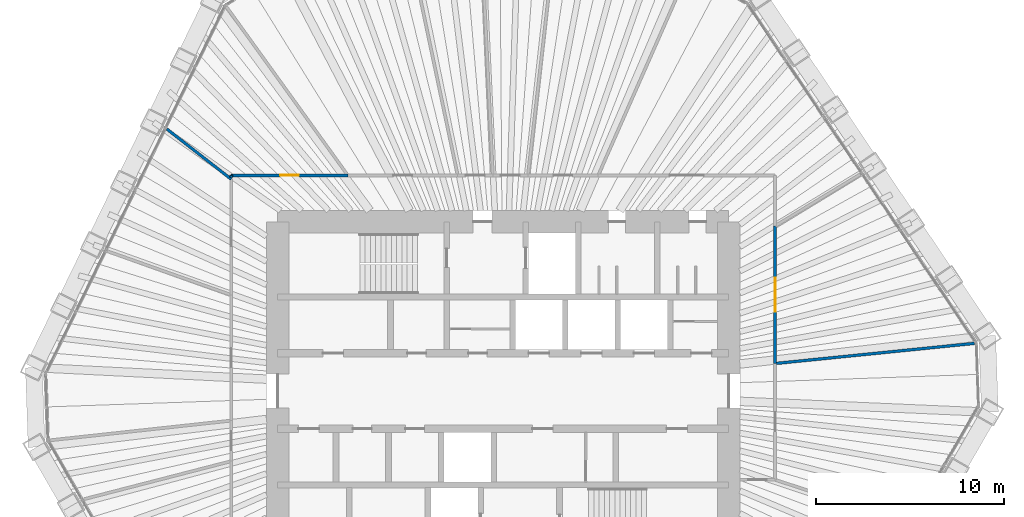
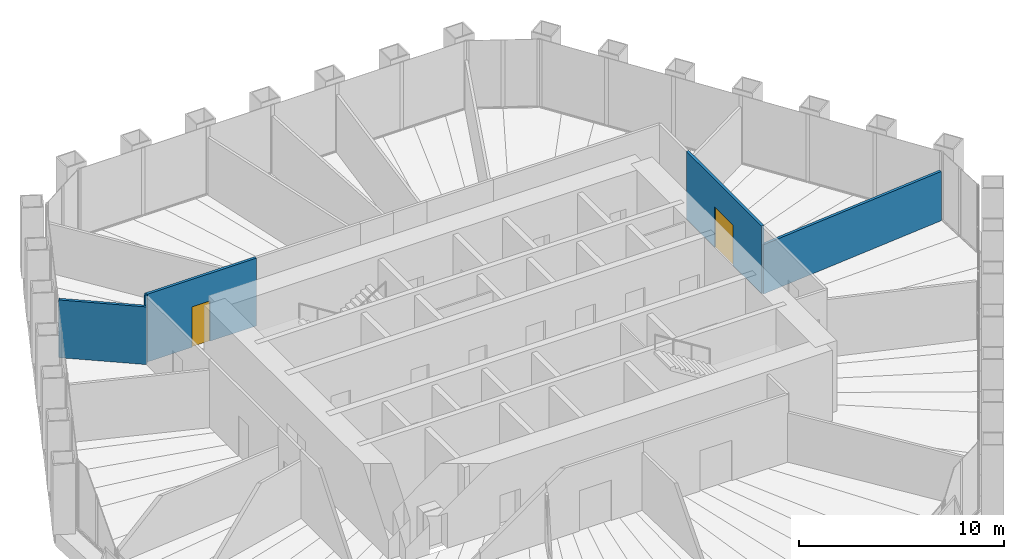
# One storey, part 12 of 14: 5 walls, 2 doors, 2 openings.
"""IFC4 building model written with IfcOpenShell, lengths in metres."""

import ifcopenshell
import ifcopenshell.guid

model = None  # the IFC model being written
_history = None  # IfcOwnerHistory: only IFC2X3 demands one
_inside = {}  # id of a spatial element -> (the spatial element, [elements in it])
_under = {}  # id of a project, library or spatial element -> (it, [spatial elements below it])
_declared = {}  # id of a project -> (the project, [libraries it declares])
_typed = {}  # id of a type object -> (the type object, [elements of that type])
_made_of = {}  # id of a material, layer set ... -> (it, [elements and type objects made of it])


def new_model(schema):
    """Start an empty IFC model of exactly this schema.

    Asked for "IFC4X3", IfcOpenShell would pick the latest addendum, in which some entities
    have other attributes; the version numbers below select the first issue.
    IFC2X3 requires an IfcOwnerHistory on every rooted entity: one is made here for all.
    """
    global model, _history
    if schema == "IFC4X3":
        model = ifcopenshell.file(schema_version=(4, 3, 0, 0))
    else:
        model = ifcopenshell.file(schema=schema)
    _inside.clear()
    _under.clear()
    _declared.clear()
    _typed.clear()
    _made_of.clear()
    _history = None
    if model.schema == "IFC2X3":
        org = make("IfcOrganization", Name="unknown")
        user = make(
            "IfcPersonAndOrganization",
            ThePerson=make("IfcPerson", FamilyName="unknown"),
            TheOrganization=org,
        )
        app = make(
            "IfcApplication",
            ApplicationDeveloper=org,
            Version="unknown",
            ApplicationFullName="unknown",
            ApplicationIdentifier="unknown",
        )
        _history = make(
            "IfcOwnerHistory",
            OwningUser=user,
            OwningApplication=app,
            ChangeAction="ADDED",
            CreationDate=0,
        )
    return model


def make(cls, **values):
    """One entity of the class cls with the attributes given. An attribute that is None is left unset."""
    return model.create_entity(
        cls, **{name: value for name, value in values.items() if value is not None}
    )


def rooted(cls, **values):
    """An entity with a GlobalId (a new one), such as an element, a storey or a relation."""
    return make(cls, GlobalId=ifcopenshell.guid.new(), OwnerHistory=_history, **values)


def si_unit(unit_type, name, prefix=None):
    """IfcSIUnit, for example si_unit("LENGTHUNIT", "METRE", prefix="MILLI")."""
    return make("IfcSIUnit", UnitType=unit_type, Prefix=prefix, Name=name)


def assignment(units):
    """IfcUnitAssignment: the units of a project."""
    return None if units is None else make("IfcUnitAssignment", Units=units)


def point(xyz):
    """IfcCartesianPoint."""
    return None if xyz is None else make("IfcCartesianPoint", Coordinates=xyz)


def direction(xyz):
    """IfcDirection."""
    return None if xyz is None else make("IfcDirection", DirectionRatios=xyz)


def frame(location, z_axis=None, x_axis=None):
    """IfcAxis2Placement3D, a coordinate frame: its origin and axes. An axis left out is left unset."""
    return make(
        "IfcAxis2Placement3D",
        Location=point(location),
        Axis=direction(z_axis),
        RefDirection=direction(x_axis),
    )


def frame_2d(location, x_axis=None):
    """IfcAxis2Placement2D, a coordinate frame in the plane: its origin and x axis."""
    return make(
        "IfcAxis2Placement2D", Location=point(location), RefDirection=direction(x_axis)
    )


def origin():
    """The frame at (0, 0, 0) with its axes left unset."""
    return frame((0.0, 0.0, 0.0))


def place(relative_to, where):
    """IfcLocalPlacement: puts the frame where relative to a parent placement (None: the world)."""
    return make(
        "IfcLocalPlacement", PlacementRelTo=relative_to, RelativePlacement=where
    )


def context(
    kind, dimensions, precision=None, world=None, true_north=None, identifier=None
):
    """IfcGeometricRepresentationContext, for example the 3D "Model" context."""
    return make(
        "IfcGeometricRepresentationContext",
        ContextIdentifier=identifier,
        ContextType=kind,
        CoordinateSpaceDimension=dimensions,
        Precision=precision,
        WorldCoordinateSystem=world,
        TrueNorth=true_north,
    )


def subcontext(parent, identifier, kind, view, scale=None):
    """IfcGeometricRepresentationSubContext, for example "Body" below "Model"."""
    return make(
        "IfcGeometricRepresentationSubContext",
        ContextIdentifier=identifier,
        ContextType=kind,
        ParentContext=parent,
        TargetScale=scale,
        TargetView=view,
    )


def project(units=None, contexts=None):
    """IfcProject with its units and contexts."""
    return rooted(
        "IfcProject",
        Name="project",
        RepresentationContexts=contexts,
        UnitsInContext=assignment(units),
    )


def spatial(cls, under=None, at=None, **own):
    """A site, building, storey or space (cls), placed at a placement, below another one or the project."""
    s = rooted(cls, ObjectPlacement=at, **own)
    if under is not None:
        _under.setdefault(under.id(), (under, []))[1].append(s)
    return s


def profile(cls, at=None, kind="AREA", **sizes):
    """A parametric profile (cls). Its sizes go by their IFC names, for example OverallWidth=200.0."""
    return make(cls, ProfileType=kind, Position=at, **sizes)


def rectangle(**sizes):
    """IfcRectangleProfileDef."""
    return profile("IfcRectangleProfileDef", **sizes)


def extrude(swept, where, along, depth):
    """IfcExtrudedAreaSolid: the profile swept, set in the frame where, extruded along a direction by depth."""
    return make(
        "IfcExtrudedAreaSolid",
        SweptArea=swept,
        Position=where,
        ExtrudedDirection=direction(along),
        Depth=depth,
    )


def shape(context_of_items, identifier, shape_type, items):
    """IfcShapeRepresentation: the items that make up one representation, for example the "Body"."""
    return make(
        "IfcShapeRepresentation",
        ContextOfItems=context_of_items,
        RepresentationIdentifier=identifier,
        RepresentationType=shape_type,
        Items=items,
    )


def material(Name=None, Category=None):
    """IfcMaterial."""
    return make("IfcMaterial", Name=Name, Category=Category)


def layer(
    of_material, thickness, ventilated=None, Name=None, Category=None, Priority=None
):
    """IfcMaterialLayer: one layer of a wall or slab, of a material (None: an air gap)."""
    return make(
        "IfcMaterialLayer",
        Material=of_material,
        LayerThickness=thickness,
        IsVentilated=ventilated,
        Name=Name,
        Category=Category,
        Priority=Priority,
    )


def layer_set(layers, Name=None):
    """IfcMaterialLayerSet."""
    return make("IfcMaterialLayerSet", MaterialLayers=layers, LayerSetName=Name)


def made_of(thing, what):
    """Note that an element or type object is made of a material, layer set ...; save() writes the relation."""
    if what is not None:
        _made_of.setdefault(what.id(), (what, []))[1].append(thing)
    return thing


def type_object(cls, material=None, **own):
    """A type object (cls), such as IfcWallType, which elements share."""
    return made_of(rooted(cls, **own), material)


def element(
    cls,
    number,
    at=None,
    inside=None,
    cuts=None,
    type_object=None,
    material=None,
    context=None,
    identifier="Body",
    shape_type=None,
    held_by="IfcProductDefinitionShape",
    body=None,
    shapes=None,
    **own,
):
    """One element of the class cls, such as IfcWall. Its Tag is "e" and its number.

    at: its placement. inside: the storey or other place that contains it. cuts: it is an
    opening in that element (IfcRelVoidsElement). A single representation is given by context,
    identifier, shape_type and body (its items); several are given by shapes. held_by: the class
    of the entity that holds the representations. save() writes the other relations.
    """
    e = rooted(cls, Tag="e%d" % number, ObjectPlacement=at, **own)
    if body is not None:
        shapes = [shape(context, identifier, shape_type, body)]
    if shapes is not None:
        e.Representation = make(held_by, Representations=shapes)
    if inside is not None:
        _inside.setdefault(inside.id(), (inside, []))[1].append(e)
    if cuts is not None:
        rooted(
            "IfcRelVoidsElement", RelatingBuildingElement=cuts, RelatedOpeningElement=e
        )
    if type_object is not None:
        _typed.setdefault(type_object.id(), (type_object, []))[1].append(e)
    return made_of(e, material)


def fill(opening, filler):
    """IfcRelFillsElement: the door or window that sits in an opening."""
    return rooted(
        "IfcRelFillsElement",
        RelatingOpeningElement=opening,
        RelatedBuildingElement=filler,
    )


def aggregate(whole, parts):
    """IfcRelAggregates: a whole, such as a stair, and the parts it consists of."""
    return rooted("IfcRelAggregates", RelatingObject=whole, RelatedObjects=parts)


def save(model, path):
    """Write the relations noted so far, then the file.

    IfcRelAggregates (storeys below a building ...), IfcRelContainedInSpatialStructure (elements
    in a storey), IfcRelDefinesByType, IfcRelAssociatesMaterial and IfcRelDeclares: one each for
    every whole, place, type object, material and project.
    """
    for whole, parts in _under.values():
        aggregate(whole, parts)
    for where, things in _inside.values():
        rooted(
            "IfcRelContainedInSpatialStructure",
            RelatedElements=things,
            RelatingStructure=where,
        )
    for kind, things in _typed.values():
        rooted("IfcRelDefinesByType", RelatedObjects=things, RelatingType=kind)
    for what, things in _made_of.values():
        rooted("IfcRelAssociatesMaterial", RelatedObjects=things, RelatingMaterial=what)
    for by, libraries in _declared.values():
        rooted("IfcRelDeclares", RelatingContext=by, RelatedDefinitions=libraries)
    model.write(path)


model = new_model("IFC4")

# Units and contexts
model_context = context("Model", 3, precision=1e-05, world=origin(), true_north=direction((0.0, 1.0)))
body_context = subcontext(model_context, "Body", "Model", "MODEL_VIEW")
ifc_project = project(units=[si_unit("LENGTHUNIT", "METRE"), si_unit("AREAUNIT", "SQUARE_METRE"), si_unit("VOLUMEUNIT", "CUBIC_METRE"), si_unit("PLANEANGLEUNIT", "RADIAN"), si_unit("MASSUNIT", "GRAM", prefix="KILO")], contexts=[model_context])

# Site, building, storey
site_placement = place(None, origin())
site = spatial("IfcSite", under=ifc_project, at=site_placement, CompositionType="ELEMENT")
building_placement = place(site_placement, origin())
building = spatial("IfcBuilding", under=site, at=building_placement, Name="Qingtian Harvest Tower", CompositionType="ELEMENT")
storey_placement = place(building_placement, frame((0.0, 0.0, 201.39990234375)))
storey = spatial("IfcBuildingStorey", under=building, at=storey_placement, Name="L43", CompositionType="ELEMENT", Elevation=201.39990234375)

# Wall, opening, door
ifc_material_1 = material(Name="Gypsum board on steel studs", Category="steel")
ifc_layer = layer(ifc_material_1, 0.14990234375)
ifc_layer_set = layer_set([ifc_layer], Name="Partition PT1 150")
wall_type = type_object("IfcWallType", Name="Partition PT1 150", PredefinedType="PARTITIONING", material=ifc_layer_set)
wall_1_placement = place(storey_placement, frame((14.47509765625, 8.783447265625, 0.0), z_axis=(0.0, 0.0, 1.0), x_axis=(0.0, -1.0, 0.0)))
wall_1 = element("IfcWall", 1, at=wall_1_placement, inside=storey, type_object=wall_type, Name="Office suite wall L43", PredefinedType="PARTITIONING", context=body_context, shape_type="SweptSolid", body=[
    extrude(rectangle(XDim=7.32080078125, YDim=0.14990234375, at=frame_2d((3.660400390625, 0.0))), origin(), (0.0, 0.0, 1.0), 4.030029296875),
])
opening_1_placement = place(wall_1_placement, frame((2.76025390625, 0.0, 0.0)))
opening_1 = element("IfcOpeningElement", 2, at=opening_1_placement, cuts=wall_1, Name="Opening D3", PredefinedType="OPENING", context=body_context, shape_type="SweptSolid", body=[
    extrude(rectangle(XDim=1.800048828125, YDim=2.39990234375, at=frame_2d((0.89990234375, 1.199951171875))), frame((0.0, 0.0849609375, 0.0), z_axis=(0.0, -1.0, 0.0), x_axis=(1.0, 0.0, 0.0)), (0.0, 0.0, 1.0), 0.169921875),
])
ifc_material_2 = material(Name="Laminated timber door leaf", Category="wood")
door_type_1 = type_object("IfcDoorType", Name="Room door D3 double", OperationType="DOUBLE_DOOR_DOUBLE_SWING", PredefinedType="DOOR", material=ifc_material_2)
door_1_placement = place(opening_1_placement, origin())
door_1 = element("IfcDoor", 3, at=door_1_placement, inside=storey, type_object=door_type_1, Name="Office suite door L43", OperationType="DOUBLE_DOOR_DOUBLE_SWING", OverallHeight=2.39990234375, OverallWidth=1.800048828125, PredefinedType="DOOR", context=body_context, shape_type="SweptSolid", body=[
    extrude(rectangle(XDim=1.800048828125, YDim=2.39990234375, at=frame_2d((0.89990234375, 1.199951171875))), frame((0.0, 0.02490234375, 0.0), z_axis=(0.0, -1.0, 0.0), x_axis=(1.0, 0.0, 0.0)), (0.0, 0.0, 1.0), 0.050048828125),
])
fill(opening_1, door_1)

# Walls
wall_2_placement = place(storey_placement, frame((25.082763671875, 2.53466796875, 0.0), z_axis=(0.0, 0.0, 1.0), x_axis=(-0.994932122767, -0.10054884925, 0.0)))
element("IfcWall", 4, at=wall_2_placement, inside=storey, type_object=wall_type, Name="Meeting room wall L43", PredefinedType="PARTITIONING", context=body_context, shape_type="SweptSolid", body=[
    extrude(rectangle(XDim=10.66162109375, YDim=0.14990234375, at=frame_2d((5.330810546875, 0.0))), origin(), (0.0, 0.0, 1.0), 2.93017578125),
])
wall_3_placement = place(storey_placement, frame((-17.901611328125, 13.94287109375, 0.0), z_axis=(0.0, 0.0, 1.0), x_axis=(0.788919197717, -0.614496948303, 0.0)))
element("IfcWall", 5, at=wall_3_placement, inside=storey, type_object=wall_type, Name="Office suite wall L43", PredefinedType="PARTITIONING", context=body_context, shape_type="SweptSolid", body=[
    extrude(rectangle(XDim=4.34326171875, YDim=0.14990234375, at=frame_2d((2.171630859375, 0.0))), origin(), (0.0, 0.0, 1.0), 3.43017578125),
])
wall_4_placement = place(storey_placement, frame((-14.47509765625, 11.369140625, 0.0), z_axis=(0.0, 0.0, 1.0), x_axis=(0.0, 1.0, 0.0)))
element("IfcWall", 6, at=wall_4_placement, inside=storey, type_object=wall_type, Name="Office suite wall L43", PredefinedType="PARTITIONING", context=body_context, shape_type="SweptSolid", body=[
    extrude(rectangle(XDim=0.10595703125, YDim=0.14990234375, at=frame_2d((0.052978515625, 0.0))), origin(), (0.0, 0.0, 1.0), 4.030029296875),
])

# Wall, opening, door
wall_5_placement = place(storey_placement, frame((-14.47509765625, 11.47509765625, 0.0), z_axis=(0.0, 0.0, 1.0), x_axis=(1.0, 0.0, 0.0)))
wall_5 = element("IfcWall", 7, at=wall_5_placement, inside=storey, type_object=wall_type, Name="Office suite wall L43", PredefinedType="PARTITIONING", context=body_context, shape_type="SweptSolid", body=[
    extrude(rectangle(XDim=6.2080078125, YDim=0.14990234375, at=frame_2d((3.10400390625, 0.0))), origin(), (0.0, 0.0, 1.0), 4.030029296875),
])
opening_2_placement = place(wall_5_placement, frame((2.60400390625, 0.0, 0.0)))
opening_2 = element("IfcOpeningElement", 8, at=opening_2_placement, cuts=wall_5, Name="Opening D2", PredefinedType="OPENING", context=body_context, shape_type="SweptSolid", body=[
    extrude(rectangle(XDim=1.0, YDim=2.39990234375, at=frame_2d((0.5, 1.199951171875))), frame((0.0, 0.0849609375, 0.0), z_axis=(0.0, -1.0, 0.0), x_axis=(1.0, 0.0, 0.0)), (0.0, 0.0, 1.0), 0.169921875),
])
ifc_material_3 = material(Name="Laminated timber door leaf", Category="wood")
door_type_2 = type_object("IfcDoorType", Name="Room door D2 single", OperationType="SINGLE_SWING_LEFT", PredefinedType="DOOR", material=ifc_material_3)
door_2_placement = place(opening_2_placement, origin())
door_2 = element("IfcDoor", 9, at=door_2_placement, inside=storey, type_object=door_type_2, Name="Office suite door L43", OperationType="SINGLE_SWING_RIGHT", OverallHeight=2.39990234375, OverallWidth=1.0, PredefinedType="DOOR", context=body_context, shape_type="SweptSolid", body=[
    extrude(rectangle(XDim=1.0, YDim=2.39990234375, at=frame_2d((0.5, 1.199951171875))), frame((0.0, 0.02490234375, 0.0), z_axis=(0.0, -1.0, 0.0), x_axis=(1.0, 0.0, 0.0)), (0.0, 0.0, 1.0), 0.050048828125),
])
fill(opening_2, door_2)

save(model, "model.ifc")
